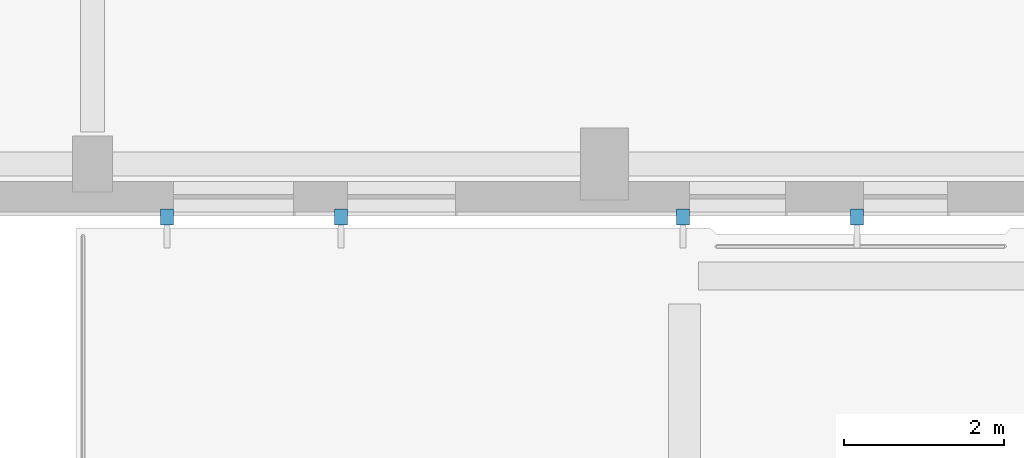
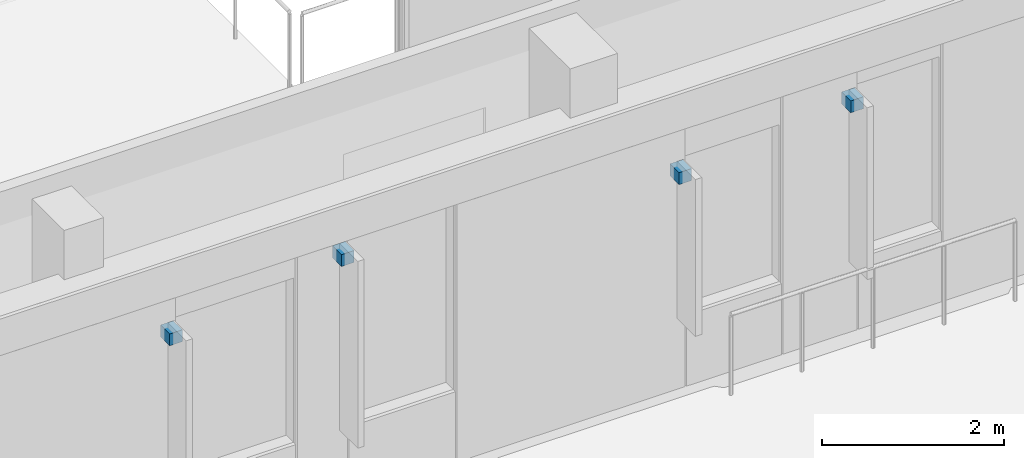
# One storey, part 51 of 73: 4 discrete accessories.
"""IFC4 building model written with IfcOpenShell, lengths in metres."""

from ifc_helpers import new_model, si_unit, direction, frame, origin, origin_2d, place, context, subcontext, project, spatial, rectangle, extrude, material, type_object, element, save


model = new_model("IFC4")

# Units and contexts
model_context = context("Model", 3, precision=1e-05, world=origin(), true_north=direction((0.0, 1.0)))
body_context = subcontext(model_context, "Body", "Model", "MODEL_VIEW")
ifc_project = project(units=[si_unit("LENGTHUNIT", "METRE"), si_unit("AREAUNIT", "SQUARE_METRE"), si_unit("VOLUMEUNIT", "CUBIC_METRE"), si_unit("PLANEANGLEUNIT", "RADIAN"), si_unit("MASSUNIT", "GRAM", prefix="KILO")], contexts=[model_context])

# Site, building, storey
site_placement = place(None, origin())
site = spatial("IfcSite", under=ifc_project, at=site_placement, CompositionType="ELEMENT")
building_placement = place(site_placement, origin())
building = spatial("IfcBuilding", under=site, at=building_placement, Name="Mzevani Central Library", CompositionType="ELEMENT")
storey_placement = place(building_placement, frame((0.0, 0.0, 9.60009765625)))
storey = spatial("IfcBuildingStorey", under=building, at=storey_placement, Name="L02", CompositionType="ELEMENT", Elevation=9.60009765625)

# Discrete accessories
ifc_material = material(Name="Steel S355J2", Category="steel")
discrete_accessory_type = type_object("IfcDiscreteAccessoryType", Name="Stainless Facade Support Bracket", PredefinedType="BRACKET", material=ifc_material)
for number, where, z_axis, x_axis, name in (
    (1, (123.7548828125, 42.43994140625, 3.02001953125), (0.0, 0.0, 1.0), (-1.0, 0.0, 0.0), "L02 V1 Fin Support Bracket (89)"),
    (2, (121.580078125, 42.43994140625, 2.81982421875), (0.0, 0.0, 1.0), (-1.0, 0.0, 0.0), "L02 V1 Fin Support Bracket (90)"),
    (3, (117.304931640625, 42.43994140625, 3.2197265625), (0.0, 0.0, 1.0), (-1.0, 0.0, 0.0), "L02 V1 Fin Support Bracket (91)"),
    (4, (115.1298828125, 42.43994140625, 2.919921875), (0.0, 0.0, 1.0), (-1.0, 0.0, 0.0), "L02 V1 Fin Support Bracket (92)"),
):
    element("IfcDiscreteAccessory", number, at=place(storey_placement, frame(where, z_axis=z_axis, x_axis=x_axis)), inside=storey, type_object=discrete_accessory_type, Name=name, PredefinedType="BRACKET", context=body_context, shape_type="SweptSolid", body=[
        extrude(rectangle(XDim=0.159912109375, YDim=0.199951171875, at=origin_2d()), origin(), (0.0, 0.0, 1.0), 0.159912109375),
    ])

save(model, "model.ifc")
